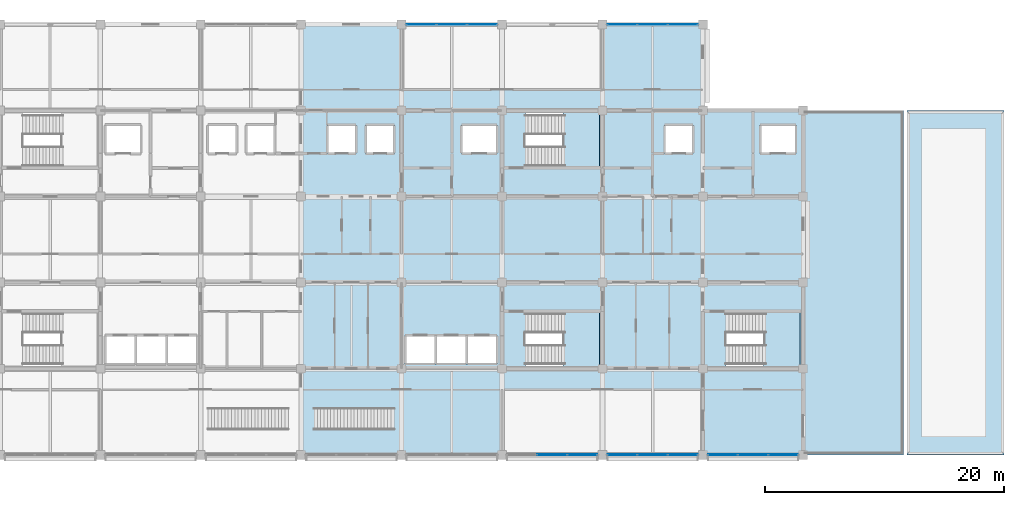
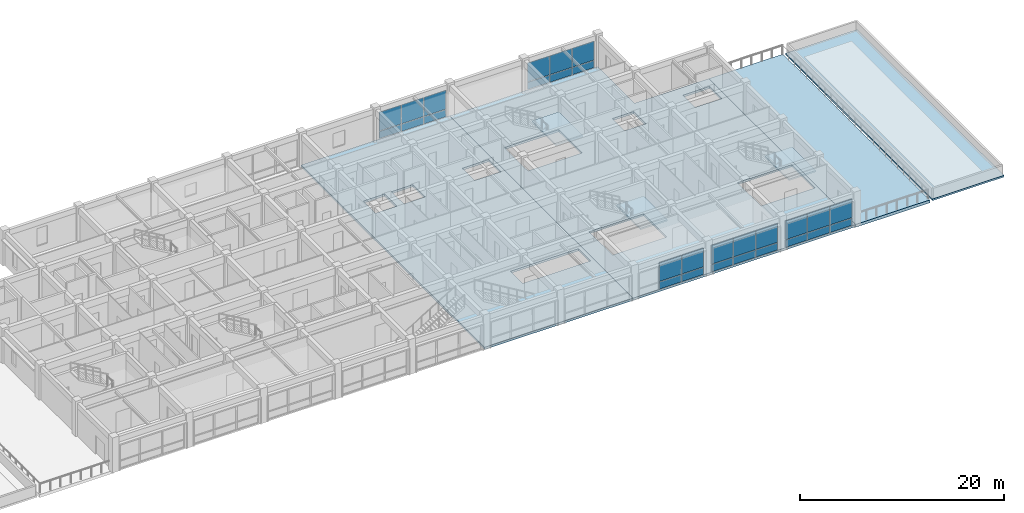
# One storey, part 11 of 27: 28 plates, 7 slabs, 8 elements without a shape of their own.
"""IFC4 building model written with IfcOpenShell, lengths in metres."""

from ifc_helpers import new_model, si_unit, direction, frame, origin, origin_2d, place, context, subcontext, project, spatial, polyline, rectangle, outline, extrude, material, layer, layer_set, type_object, element, aggregate, save


model = new_model("IFC4")

# Units and contexts
model_context = context("Model", 3, precision=1e-05, world=origin(), true_north=direction((0.0, 1.0)))
body_context = subcontext(model_context, "Body", "Model", "MODEL_VIEW")
ifc_project = project(units=[si_unit("LENGTHUNIT", "METRE"), si_unit("AREAUNIT", "SQUARE_METRE"), si_unit("VOLUMEUNIT", "CUBIC_METRE"), si_unit("PLANEANGLEUNIT", "RADIAN"), si_unit("MASSUNIT", "GRAM", prefix="KILO")], contexts=[model_context])

# Site, building, storey
site_placement = place(None, origin())
site = spatial("IfcSite", under=ifc_project, at=site_placement, CompositionType="ELEMENT")
building_placement = place(site_placement, origin())
building = spatial("IfcBuilding", under=site, at=building_placement, Name="Chengyuan Square Courthouse", CompositionType="ELEMENT")
storey_placement = place(building_placement, frame((0.0, 0.0, 35.10009765625)))
storey = spatial("IfcBuildingStorey", under=building, at=storey_placement, Name="L08", CompositionType="ELEMENT", Elevation=35.10009765625)

# Curtain wall, plates
ifc_material_1 = material(Name="Unitised Aluminium and Triple Low-E Glass", Category="aluminium")
ifc_layer_1 = layer(ifc_material_1, 0.179931640625)
ifc_layer_set_1 = layer_set([ifc_layer_1], Name="Unitised Aluminium and Triple Low-E Glass")
curtain_wall_type = type_object("IfcCurtainWallType", Name="CW-22", PredefinedType="USERDEFINED", material=ifc_layer_set_1)
curtain_wall_1_placement = place(storey_placement, origin())
curtain_wall_1 = element("IfcCurtainWall", 1, at=curtain_wall_1_placement, inside=storey, type_object=curtain_wall_type, Name="Unitised Curtain Wall CW-L08-229", ObjectType="UNITISED CURTAIN WALL", PredefinedType="USERDEFINED")
ifc_material_2 = material(Name="Triple Low-E Insulating Glass", Category="glass")
ifc_layer_2 = layer(ifc_material_2, 0.052001953125)
ifc_layer_set_2 = layer_set([ifc_layer_2], Name="Triple Low-E Insulating Glass")
plate_type = type_object("IfcPlateType", Name="CWP-04", PredefinedType="CURTAIN_PANEL", material=ifc_layer_set_2)
plate_1_placement = place(storey_placement, frame((94.066162109375, 115.199951171875, 0.06494140625), z_axis=(0.0, 0.0, 1.0), x_axis=(1.0, 0.0, 0.0)))
plate_1 = element("IfcPlate", 2, at=plate_1_placement, type_object=plate_type, Name="CW-22 panel 1.1", PredefinedType="CURTAIN_PANEL", context=body_context, shape_type="SweptSolid", body=[
    extrude(rectangle(XDim=2.452392578125, YDim=0.052001953125, at=origin_2d()), origin(), (0.0, 0.0, 1.0), 0.8525390625),
])
plate_2_placement = place(storey_placement, frame((94.066162109375, 115.199951171875, 0.982421875), z_axis=(0.0, 0.0, 1.0), x_axis=(1.0, 0.0, 0.0)))
plate_2 = element("IfcPlate", 3, at=plate_2_placement, type_object=plate_type, Name="CW-22 panel 1.2", PredefinedType="CURTAIN_PANEL", context=body_context, shape_type="SweptSolid", body=[
    extrude(rectangle(XDim=2.452392578125, YDim=0.052001953125, at=origin_2d()), origin(), (0.0, 0.0, 1.0), 2.25244140625),
])
plate_3_placement = place(storey_placement, frame((96.60009765625, 115.199951171875, 0.06494140625), z_axis=(0.0, 0.0, 1.0), x_axis=(1.0, 0.0, 0.0)))
plate_3 = element("IfcPlate", 4, at=plate_3_placement, type_object=plate_type, Name="CW-22 panel 2.1", PredefinedType="CURTAIN_PANEL", context=body_context, shape_type="SweptSolid", body=[
    extrude(rectangle(XDim=2.485107421875, YDim=0.052001953125, at=origin_2d()), origin(), (0.0, 0.0, 1.0), 0.8525390625),
])
plate_4_placement = place(storey_placement, frame((96.60009765625, 115.199951171875, 0.982421875), z_axis=(0.0, 0.0, 1.0), x_axis=(1.0, 0.0, 0.0)))
plate_4 = element("IfcPlate", 5, at=plate_4_placement, type_object=plate_type, Name="CW-22 panel 2.2", PredefinedType="CURTAIN_PANEL", context=body_context, shape_type="SweptSolid", body=[
    extrude(rectangle(XDim=2.485107421875, YDim=0.052001953125, at=origin_2d()), origin(), (0.0, 0.0, 1.0), 2.25244140625),
])
plate_5_placement = place(storey_placement, frame((99.1337890625, 115.199951171875, 0.06494140625), z_axis=(0.0, 0.0, 1.0), x_axis=(1.0, 0.0, 0.0)))
plate_5 = element("IfcPlate", 6, at=plate_5_placement, type_object=plate_type, Name="CW-22 panel 3.1", PredefinedType="CURTAIN_PANEL", context=body_context, shape_type="SweptSolid", body=[
    extrude(rectangle(XDim=2.452392578125, YDim=0.052001953125, at=origin_2d()), origin(), (0.0, 0.0, 1.0), 0.8525390625),
])
plate_6_placement = place(storey_placement, frame((99.1337890625, 115.199951171875, 0.982421875), z_axis=(0.0, 0.0, 1.0), x_axis=(1.0, 0.0, 0.0)))
plate_6 = element("IfcPlate", 7, at=plate_6_placement, type_object=plate_type, Name="CW-22 panel 3.2", PredefinedType="CURTAIN_PANEL", context=body_context, shape_type="SweptSolid", body=[
    extrude(rectangle(XDim=2.452392578125, YDim=0.052001953125, at=origin_2d()), origin(), (0.0, 0.0, 1.0), 2.25244140625),
])
aggregate(curtain_wall_1, [plate_1, plate_2, plate_3, plate_4, plate_5, plate_6])

curtain_wall_2_placement = place(storey_placement, origin())
curtain_wall_2 = element("IfcCurtainWall", 8, at=curtain_wall_2_placement, inside=storey, type_object=curtain_wall_type, Name="Unitised Curtain Wall CW-L08-230", ObjectType="UNITISED CURTAIN WALL", PredefinedType="USERDEFINED")
plate_7_placement = place(storey_placement, frame((105.0, 79.199951171875, 0.06494140625), z_axis=(0.0, 0.0, 1.0), x_axis=(1.0, 0.0, 0.0)))
plate_7 = element("IfcPlate", 9, at=plate_7_placement, type_object=plate_type, Name="CW-22 panel 2.1", PredefinedType="CURTAIN_PANEL", context=body_context, shape_type="SweptSolid", body=[
    extrude(rectangle(XDim=2.485107421875, YDim=0.052001953125, at=origin_2d()), origin(), (0.0, 0.0, 1.0), 0.8525390625),
])
plate_8_placement = place(storey_placement, frame((105.0, 79.199951171875, 0.982421875), z_axis=(0.0, 0.0, 1.0), x_axis=(1.0, 0.0, 0.0)))
plate_8 = element("IfcPlate", 10, at=plate_8_placement, type_object=plate_type, Name="CW-22 panel 2.2", PredefinedType="CURTAIN_PANEL", context=body_context, shape_type="SweptSolid", body=[
    extrude(rectangle(XDim=2.485107421875, YDim=0.052001953125, at=origin_2d()), origin(), (0.0, 0.0, 1.0), 2.25244140625),
])
plate_9_placement = place(storey_placement, frame((107.53369140625, 79.199951171875, 0.06494140625), z_axis=(0.0, 0.0, 1.0), x_axis=(1.0, 0.0, 0.0)))
plate_9 = element("IfcPlate", 11, at=plate_9_placement, type_object=plate_type, Name="CW-22 panel 3.1", PredefinedType="CURTAIN_PANEL", context=body_context, shape_type="SweptSolid", body=[
    extrude(rectangle(XDim=2.452392578125, YDim=0.052001953125, at=origin_2d()), origin(), (0.0, 0.0, 1.0), 0.8525390625),
])
plate_10_placement = place(storey_placement, frame((107.53369140625, 79.199951171875, 0.982421875), z_axis=(0.0, 0.0, 1.0), x_axis=(1.0, 0.0, 0.0)))
plate_10 = element("IfcPlate", 12, at=plate_10_placement, type_object=plate_type, Name="CW-22 panel 3.2", PredefinedType="CURTAIN_PANEL", context=body_context, shape_type="SweptSolid", body=[
    extrude(rectangle(XDim=2.452392578125, YDim=0.052001953125, at=origin_2d()), origin(), (0.0, 0.0, 1.0), 2.25244140625),
])
aggregate(curtain_wall_2, [plate_7, plate_8, plate_9, plate_10])

curtain_wall_3_placement = place(storey_placement, origin())
curtain_wall_3 = element("IfcCurtainWall", 13, at=curtain_wall_3_placement, inside=storey, type_object=curtain_wall_type, Name="Unitised Curtain Wall CW-L08-231", ObjectType="UNITISED CURTAIN WALL", PredefinedType="USERDEFINED")
plate_11_placement = place(storey_placement, frame((110.8662109375, 79.199951171875, 0.06494140625), z_axis=(0.0, 0.0, 1.0), x_axis=(1.0, 0.0, 0.0)))
plate_11 = element("IfcPlate", 14, at=plate_11_placement, type_object=plate_type, Name="CW-22 panel 1.1", PredefinedType="CURTAIN_PANEL", context=body_context, shape_type="SweptSolid", body=[
    extrude(rectangle(XDim=2.452392578125, YDim=0.052001953125, at=origin_2d()), origin(), (0.0, 0.0, 1.0), 0.8525390625),
])
plate_12_placement = place(storey_placement, frame((110.8662109375, 79.199951171875, 0.982421875), z_axis=(0.0, 0.0, 1.0), x_axis=(1.0, 0.0, 0.0)))
plate_12 = element("IfcPlate", 15, at=plate_12_placement, type_object=plate_type, Name="CW-22 panel 1.2", PredefinedType="CURTAIN_PANEL", context=body_context, shape_type="SweptSolid", body=[
    extrude(rectangle(XDim=2.452392578125, YDim=0.052001953125, at=origin_2d()), origin(), (0.0, 0.0, 1.0), 2.25244140625),
])
plate_13_placement = place(storey_placement, frame((113.39990234375, 79.199951171875, 0.06494140625), z_axis=(0.0, 0.0, 1.0), x_axis=(1.0, 0.0, 0.0)))
plate_13 = element("IfcPlate", 16, at=plate_13_placement, type_object=plate_type, Name="CW-22 panel 2.1", PredefinedType="CURTAIN_PANEL", context=body_context, shape_type="SweptSolid", body=[
    extrude(rectangle(XDim=2.485107421875, YDim=0.052001953125, at=origin_2d()), origin(), (0.0, 0.0, 1.0), 0.8525390625),
])
plate_14_placement = place(storey_placement, frame((113.39990234375, 79.199951171875, 0.982421875), z_axis=(0.0, 0.0, 1.0), x_axis=(1.0, 0.0, 0.0)))
plate_14 = element("IfcPlate", 17, at=plate_14_placement, type_object=plate_type, Name="CW-22 panel 2.2", PredefinedType="CURTAIN_PANEL", context=body_context, shape_type="SweptSolid", body=[
    extrude(rectangle(XDim=2.485107421875, YDim=0.052001953125, at=origin_2d()), origin(), (0.0, 0.0, 1.0), 2.25244140625),
])
plate_15_placement = place(storey_placement, frame((115.933837890625, 79.199951171875, 0.06494140625), z_axis=(0.0, 0.0, 1.0), x_axis=(1.0, 0.0, 0.0)))
plate_15 = element("IfcPlate", 18, at=plate_15_placement, type_object=plate_type, Name="CW-22 panel 3.1", PredefinedType="CURTAIN_PANEL", context=body_context, shape_type="SweptSolid", body=[
    extrude(rectangle(XDim=2.452392578125, YDim=0.052001953125, at=origin_2d()), origin(), (0.0, 0.0, 1.0), 0.8525390625),
])
plate_16_placement = place(storey_placement, frame((115.933837890625, 79.199951171875, 0.982421875), z_axis=(0.0, 0.0, 1.0), x_axis=(1.0, 0.0, 0.0)))
plate_16 = element("IfcPlate", 19, at=plate_16_placement, type_object=plate_type, Name="CW-22 panel 3.2", PredefinedType="CURTAIN_PANEL", context=body_context, shape_type="SweptSolid", body=[
    extrude(rectangle(XDim=2.452392578125, YDim=0.052001953125, at=origin_2d()), origin(), (0.0, 0.0, 1.0), 2.25244140625),
])
aggregate(curtain_wall_3, [plate_11, plate_12, plate_13, plate_14, plate_15, plate_16])

curtain_wall_4_placement = place(storey_placement, origin())
curtain_wall_4 = element("IfcCurtainWall", 20, at=curtain_wall_4_placement, inside=storey, type_object=curtain_wall_type, Name="Unitised Curtain Wall CW-L08-232", ObjectType="UNITISED CURTAIN WALL", PredefinedType="USERDEFINED")
plate_17_placement = place(storey_placement, frame((110.8662109375, 115.199951171875, 0.06494140625), z_axis=(0.0, 0.0, 1.0), x_axis=(1.0, 0.0, 0.0)))
plate_17 = element("IfcPlate", 21, at=plate_17_placement, type_object=plate_type, Name="CW-22 panel 1.1", PredefinedType="CURTAIN_PANEL", context=body_context, shape_type="SweptSolid", body=[
    extrude(rectangle(XDim=2.452392578125, YDim=0.052001953125, at=origin_2d()), origin(), (0.0, 0.0, 1.0), 0.8525390625),
])
plate_18_placement = place(storey_placement, frame((110.8662109375, 115.199951171875, 0.982421875), z_axis=(0.0, 0.0, 1.0), x_axis=(1.0, 0.0, 0.0)))
plate_18 = element("IfcPlate", 22, at=plate_18_placement, type_object=plate_type, Name="CW-22 panel 1.2", PredefinedType="CURTAIN_PANEL", context=body_context, shape_type="SweptSolid", body=[
    extrude(rectangle(XDim=2.452392578125, YDim=0.052001953125, at=origin_2d()), origin(), (0.0, 0.0, 1.0), 2.25244140625),
])
plate_19_placement = place(storey_placement, frame((113.39990234375, 115.199951171875, 0.06494140625), z_axis=(0.0, 0.0, 1.0), x_axis=(1.0, 0.0, 0.0)))
plate_19 = element("IfcPlate", 23, at=plate_19_placement, type_object=plate_type, Name="CW-22 panel 2.1", PredefinedType="CURTAIN_PANEL", context=body_context, shape_type="SweptSolid", body=[
    extrude(rectangle(XDim=2.485107421875, YDim=0.052001953125, at=origin_2d()), origin(), (0.0, 0.0, 1.0), 0.8525390625),
])
plate_20_placement = place(storey_placement, frame((113.39990234375, 115.199951171875, 0.982421875), z_axis=(0.0, 0.0, 1.0), x_axis=(1.0, 0.0, 0.0)))
plate_20 = element("IfcPlate", 24, at=plate_20_placement, type_object=plate_type, Name="CW-22 panel 2.2", PredefinedType="CURTAIN_PANEL", context=body_context, shape_type="SweptSolid", body=[
    extrude(rectangle(XDim=2.485107421875, YDim=0.052001953125, at=origin_2d()), origin(), (0.0, 0.0, 1.0), 2.25244140625),
])
plate_21_placement = place(storey_placement, frame((115.933837890625, 115.199951171875, 0.06494140625), z_axis=(0.0, 0.0, 1.0), x_axis=(1.0, 0.0, 0.0)))
plate_21 = element("IfcPlate", 25, at=plate_21_placement, type_object=plate_type, Name="CW-22 panel 3.1", PredefinedType="CURTAIN_PANEL", context=body_context, shape_type="SweptSolid", body=[
    extrude(rectangle(XDim=2.452392578125, YDim=0.052001953125, at=origin_2d()), origin(), (0.0, 0.0, 1.0), 0.8525390625),
])
plate_22_placement = place(storey_placement, frame((115.933837890625, 115.199951171875, 0.982421875), z_axis=(0.0, 0.0, 1.0), x_axis=(1.0, 0.0, 0.0)))
plate_22 = element("IfcPlate", 26, at=plate_22_placement, type_object=plate_type, Name="CW-22 panel 3.2", PredefinedType="CURTAIN_PANEL", context=body_context, shape_type="SweptSolid", body=[
    extrude(rectangle(XDim=2.452392578125, YDim=0.052001953125, at=origin_2d()), origin(), (0.0, 0.0, 1.0), 2.25244140625),
])
aggregate(curtain_wall_4, [plate_17, plate_18, plate_19, plate_20, plate_21, plate_22])

curtain_wall_5_placement = place(storey_placement, origin())
curtain_wall_5 = element("IfcCurtainWall", 27, at=curtain_wall_5_placement, inside=storey, type_object=curtain_wall_type, Name="Unitised Curtain Wall CW-L08-233", ObjectType="UNITISED CURTAIN WALL", PredefinedType="USERDEFINED")
plate_23_placement = place(storey_placement, frame((119.266357421875, 79.199951171875, 0.06494140625), z_axis=(0.0, 0.0, 1.0), x_axis=(1.0, 0.0, 0.0)))
plate_23 = element("IfcPlate", 28, at=plate_23_placement, type_object=plate_type, Name="CW-22 panel 1.1", PredefinedType="CURTAIN_PANEL", context=body_context, shape_type="SweptSolid", body=[
    extrude(rectangle(XDim=2.452392578125, YDim=0.052001953125, at=origin_2d()), origin(), (0.0, 0.0, 1.0), 0.8525390625),
])
plate_24_placement = place(storey_placement, frame((119.266357421875, 79.199951171875, 0.982421875), z_axis=(0.0, 0.0, 1.0), x_axis=(1.0, 0.0, 0.0)))
plate_24 = element("IfcPlate", 29, at=plate_24_placement, type_object=plate_type, Name="CW-22 panel 1.2", PredefinedType="CURTAIN_PANEL", context=body_context, shape_type="SweptSolid", body=[
    extrude(rectangle(XDim=2.452392578125, YDim=0.052001953125, at=origin_2d()), origin(), (0.0, 0.0, 1.0), 2.25244140625),
])
plate_25_placement = place(storey_placement, frame((121.800048828125, 79.199951171875, 0.06494140625), z_axis=(0.0, 0.0, 1.0), x_axis=(1.0, 0.0, 0.0)))
plate_25 = element("IfcPlate", 30, at=plate_25_placement, type_object=plate_type, Name="CW-22 panel 2.1", PredefinedType="CURTAIN_PANEL", context=body_context, shape_type="SweptSolid", body=[
    extrude(rectangle(XDim=2.485107421875, YDim=0.052001953125, at=origin_2d()), origin(), (0.0, 0.0, 1.0), 0.8525390625),
])
plate_26_placement = place(storey_placement, frame((121.800048828125, 79.199951171875, 0.982421875), z_axis=(0.0, 0.0, 1.0), x_axis=(1.0, 0.0, 0.0)))
plate_26 = element("IfcPlate", 31, at=plate_26_placement, type_object=plate_type, Name="CW-22 panel 2.2", PredefinedType="CURTAIN_PANEL", context=body_context, shape_type="SweptSolid", body=[
    extrude(rectangle(XDim=2.485107421875, YDim=0.052001953125, at=origin_2d()), origin(), (0.0, 0.0, 1.0), 2.25244140625),
])
plate_27_placement = place(storey_placement, frame((124.333740234375, 79.199951171875, 0.06494140625), z_axis=(0.0, 0.0, 1.0), x_axis=(1.0, 0.0, 0.0)))
plate_27 = element("IfcPlate", 32, at=plate_27_placement, type_object=plate_type, Name="CW-22 panel 3.1", PredefinedType="CURTAIN_PANEL", context=body_context, shape_type="SweptSolid", body=[
    extrude(rectangle(XDim=2.452392578125, YDim=0.052001953125, at=origin_2d()), origin(), (0.0, 0.0, 1.0), 0.8525390625),
])
plate_28_placement = place(storey_placement, frame((124.333740234375, 79.199951171875, 0.982421875), z_axis=(0.0, 0.0, 1.0), x_axis=(1.0, 0.0, 0.0)))
plate_28 = element("IfcPlate", 33, at=plate_28_placement, type_object=plate_type, Name="CW-22 panel 3.2", PredefinedType="CURTAIN_PANEL", context=body_context, shape_type="SweptSolid", body=[
    extrude(rectangle(XDim=2.452392578125, YDim=0.052001953125, at=origin_2d()), origin(), (0.0, 0.0, 1.0), 2.25244140625),
])
aggregate(curtain_wall_5, [plate_23, plate_24, plate_25, plate_26, plate_27, plate_28])

# Stair, slab
ifc_material_3 = material(Name="Concrete C40", Category="concrete")
stair_type_1 = type_object("IfcStairType", Name="ST-TYPE-02", PredefinedType="HALF_TURN_STAIR", material=ifc_material_3)
stair_1_placement = place(storey_placement, origin())
stair_1 = element("IfcStair", 34, at=stair_1_placement, inside=storey, type_object=stair_type_1, Name="Smoke-Proof Exit Stair ST-2 (L08 to L09)", PredefinedType="HALF_TURN_STAIR")
ifc_layer_3 = layer(ifc_material_3, 0.179931640625)
ifc_layer_set_3 = layer_set([ifc_layer_3], Name="Concrete C40")
slab_type_1 = type_object("IfcSlabType", Name="SL-LND2", PredefinedType="LANDING", material=ifc_layer_set_3)
slab_1_placement = place(storey_placement, frame((0.0, 0.0, 1.919921875)))
slab_1 = element("IfcSlab", 35, at=slab_1_placement, type_object=slab_type_1, Name="ST-2 landing 1", PredefinedType="LANDING", context=body_context, shape_type="SweptSolid", body=[
    extrude(outline(polyline([(105.889892578125, 103.159912109375), (108.93994140625, 103.159912109375), (108.93994140625, 107.840087890625), (105.889892578125, 107.840087890625), (105.889892578125, 103.159912109375)])), origin(), (0.0, 0.0, 1.0), 0.179931640625),
])
aggregate(stair_1, [slab_1])

stair_type_2 = type_object("IfcStairType", Name="ST-TYPE-04", PredefinedType="HALF_TURN_STAIR", material=ifc_material_3)
stair_2_placement = place(storey_placement, origin())
stair_2 = element("IfcStair", 36, at=stair_2_placement, inside=storey, type_object=stair_type_2, Name="Smoke-Proof Exit Stair ST-4 (L08 to L09)", PredefinedType="HALF_TURN_STAIR")
slab_2_placement = place(storey_placement, frame((0.0, 0.0, 1.919921875)))
slab_2 = element("IfcSlab", 37, at=slab_2_placement, type_object=slab_type_1, Name="ST-4 landing 1", PredefinedType="LANDING", context=body_context, shape_type="SweptSolid", body=[
    extrude(outline(polyline([(105.889892578125, 86.56005859375), (108.93994140625, 86.56005859375), (108.93994140625, 91.239990234375), (105.889892578125, 91.239990234375), (105.889892578125, 86.56005859375)])), origin(), (0.0, 0.0, 1.0), 0.179931640625),
])
aggregate(stair_2, [slab_2])

stair_type_3 = type_object("IfcStairType", Name="ST-TYPE-06", PredefinedType="HALF_TURN_STAIR", material=ifc_material_3)
stair_3_placement = place(storey_placement, origin())
stair_3 = element("IfcStair", 38, at=stair_3_placement, inside=storey, type_object=stair_type_3, Name="Smoke-Proof Exit Stair ST-6 (L08 to L09)", PredefinedType="HALF_TURN_STAIR")
slab_3_placement = place(storey_placement, frame((0.0, 0.0, 1.919921875)))
slab_3 = element("IfcSlab", 39, at=slab_3_placement, type_object=slab_type_1, Name="ST-6 landing 1", PredefinedType="LANDING", context=body_context, shape_type="SweptSolid", body=[
    extrude(outline(polyline([(122.68994140625, 86.56005859375), (125.739990234375, 86.56005859375), (125.739990234375, 91.239990234375), (122.68994140625, 91.239990234375), (122.68994140625, 86.56005859375)])), origin(), (0.0, 0.0, 1.0), 0.179931640625),
])
aggregate(stair_3, [slab_3])

# Slabs
ifc_layer_4 = layer(ifc_material_3, 0.199951171875)
ifc_layer_set_4 = layer_set([ifc_layer_4], Name="Concrete C40")
slab_type_2 = type_object("IfcSlabType", Name="SL-MRF", PredefinedType="ROOF", material=ifc_layer_set_4)
slab_4_placement = place(storey_placement, frame((0.0, 0.0, -0.2001953125)))
element("IfcSlab", 40, at=slab_4_placement, inside=storey, type_object=slab_type_2, Name="Maintenance Roof Slab SL-MRF-L08-2", PredefinedType="ROOF", context=body_context, shape_type="SweptSolid", body=[
    extrude(outline(polyline([(142.800048828125, 108.0), (142.800048828125, 100.800048828125), (142.800048828125, 93.60009765625), (142.800048828125, 86.39990234375), (142.800048828125, 79.199951171875), (134.679931640625, 79.199951171875), (134.679931640625, 108.0), (142.800048828125, 108.0)])), origin(), (0.0, 0.0, 1.0), 0.2001953125),
])
ifc_material_4 = material(Name="Post-tensioned Concrete C50", Category="concrete")
ifc_layer_5 = layer(ifc_material_4, 0.260009765625)
ifc_layer_set_5 = layer_set([ifc_layer_5], Name="Post-tensioned Concrete C50")
slab_type_3 = type_object("IfcSlabType", Name="SL-PT26", PredefinedType="FLOOR", material=ifc_layer_set_5)
slab_5_placement = place(storey_placement, frame((0.0, 0.0, -0.260009765625)))
element("IfcSlab", 41, at=slab_5_placement, inside=storey, type_object=slab_type_3, Name="Suspended Floor Slab SL-L08-03", PredefinedType="FLOOR", context=body_context, shape_type="SweptSolid", body=[
    extrude(outline(polyline([(92.39990234375, 115.199951171875), (100.800048828125, 115.199951171875), (100.800048828125, 79.199951171875), (92.39990234375, 79.199951171875), (84.0, 79.199951171875), (84.0, 115.199951171875), (92.39990234375, 115.199951171875)]), holes=[polyline([(92.699951171875, 89.199951171875), (92.699951171875, 86.800048828125), (95.25, 86.800048828125), (97.85009765625, 86.800048828125), (100.39990234375, 86.800048828125), (100.39990234375, 89.199951171875), (97.85009765625, 89.199951171875), (95.25, 89.199951171875), (92.699951171875, 89.199951171875)]), polyline([(88.60009765625, 106.800048828125), (86.199951171875, 106.800048828125), (86.199951171875, 104.39990234375), (88.60009765625, 104.39990234375), (88.60009765625, 106.800048828125)]), polyline([(91.800048828125, 106.800048828125), (89.39990234375, 106.800048828125), (89.39990234375, 104.39990234375), (91.800048828125, 104.39990234375), (91.800048828125, 106.800048828125)]), polyline([(97.39990234375, 106.800048828125), (97.39990234375, 104.39990234375), (100.39990234375, 104.39990234375), (100.39990234375, 106.800048828125), (97.39990234375, 106.800048828125)])]), origin(), (0.0, 0.0, 1.0), 0.260009765625),
])
slab_6_placement = place(storey_placement, frame((0.0, 0.0, -0.260009765625)))
element("IfcSlab", 42, at=slab_6_placement, inside=storey, type_object=slab_type_3, Name="Suspended Floor Slab SL-L08-04", PredefinedType="FLOOR", context=body_context, shape_type="SweptSolid", body=[
    extrude(outline(polyline([(109.199951171875, 115.199951171875), (117.60009765625, 115.199951171875), (117.60009765625, 108.0), (126.0, 108.0), (126.0, 100.800048828125), (126.0, 93.60009765625), (126.0, 86.39990234375), (126.0, 79.199951171875), (117.60009765625, 79.199951171875), (109.199951171875, 79.199951171875), (100.800048828125, 79.199951171875), (100.800048828125, 115.199951171875), (109.199951171875, 115.199951171875)]), holes=[polyline([(108.89990234375, 91.199951171875), (102.75, 91.199951171875), (102.75, 86.60009765625), (108.89990234375, 86.60009765625), (108.89990234375, 91.199951171875)]), polyline([(125.699951171875, 91.199951171875), (119.550048828125, 91.199951171875), (119.550048828125, 86.60009765625), (125.699951171875, 86.60009765625), (125.699951171875, 91.199951171875)]), polyline([(102.75, 107.800048828125), (102.75, 103.199951171875), (108.89990234375, 103.199951171875), (108.89990234375, 107.800048828125), (102.75, 107.800048828125)]), polyline([(116.800048828125, 106.800048828125), (114.39990234375, 106.800048828125), (114.39990234375, 104.39990234375), (116.800048828125, 104.39990234375), (116.800048828125, 106.800048828125)]), polyline([(125.39990234375, 106.800048828125), (122.39990234375, 106.800048828125), (122.39990234375, 104.39990234375), (125.39990234375, 104.39990234375), (125.39990234375, 106.800048828125)])]), origin(), (0.0, 0.0, 1.0), 0.260009765625),
])
ifc_layer_6 = layer(ifc_material_3, 0.35009765625)
ifc_layer_set_6 = layer_set([ifc_layer_6], Name="Concrete C40")
slab_type_4 = type_object("IfcSlabType", Name="SL-TER", PredefinedType="ROOF", material=ifc_layer_set_6)
slab_7_placement = place(storey_placement, frame((0.0, 0.0, -0.35009765625)))
element("IfcSlab", 43, at=slab_7_placement, inside=storey, type_object=slab_type_4, Name="East Appellate Sky Garden Terrace", PredefinedType="ROOF", context=body_context, shape_type="SweptSolid", body=[
    extrude(outline(polyline([(126.0, 79.199951171875), (126.0, 86.39990234375), (126.0, 93.60009765625), (126.0, 100.800048828125), (126.0, 108.0), (134.39990234375, 108.0), (134.39990234375, 100.800048828125), (134.39990234375, 93.60009765625), (134.39990234375, 86.39990234375), (134.39990234375, 79.199951171875), (126.0, 79.199951171875)])), origin(), (0.0, 0.0, 1.0), 0.35009765625),
])

save(model, "model.ifc")
